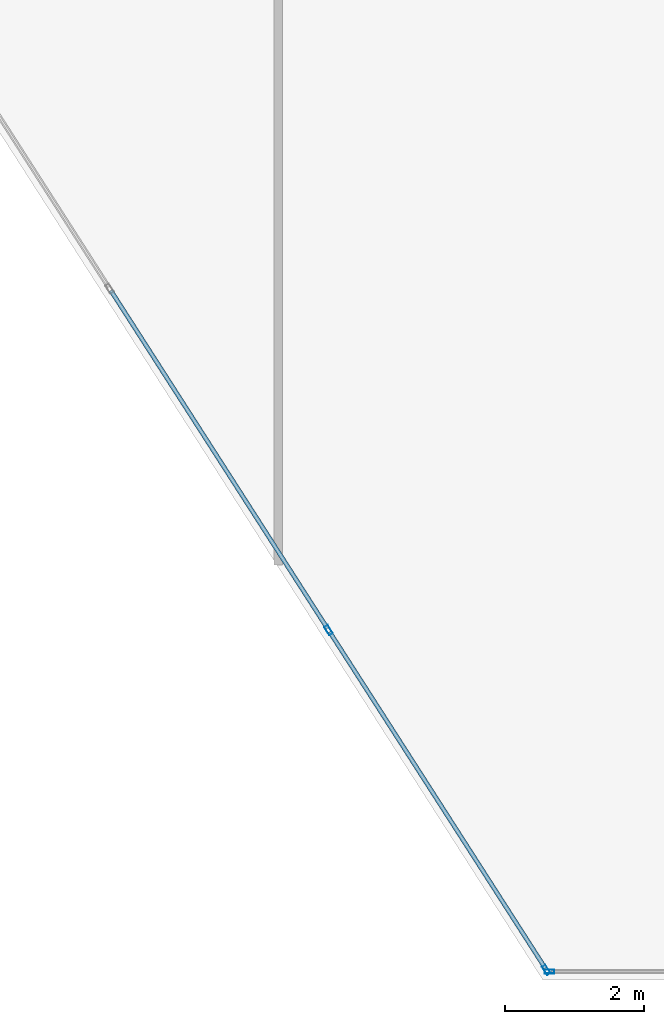
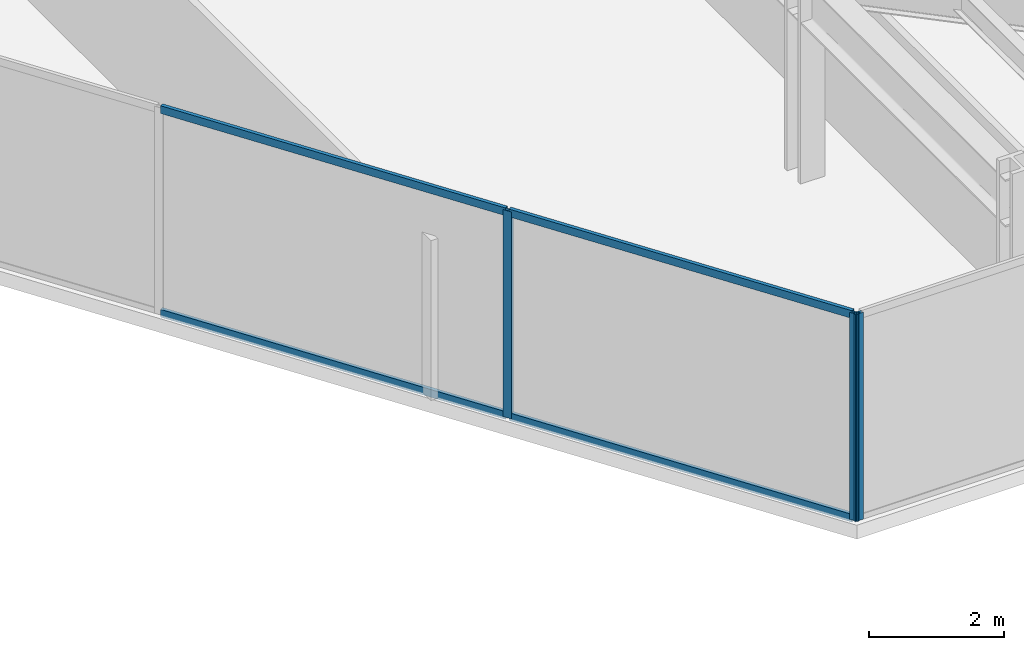
# One storey, part 15 of 26: 7 members, 2 elements without a shape of their own.
"""IFC4 building model written with IfcOpenShell, lengths in metres."""

from ifc_helpers import new_model, si_unit, direction, frame, origin, origin_2d, place, context, subcontext, project, spatial, hollow_rectangle, extrude, material, layer, layer_set, material_profile, profile_set, type_object, element, aggregate, save


model = new_model("IFC4")

# Units and contexts
model_context = context("Model", 3, precision=1e-05, world=origin(), true_north=direction((0.0, 1.0)))
body_context = subcontext(model_context, "Body", "Model", "MODEL_VIEW")
ifc_project = project(units=[si_unit("LENGTHUNIT", "METRE"), si_unit("AREAUNIT", "SQUARE_METRE"), si_unit("VOLUMEUNIT", "CUBIC_METRE"), si_unit("PLANEANGLEUNIT", "RADIAN"), si_unit("MASSUNIT", "GRAM", prefix="KILO")], contexts=[model_context])

# Site, building, storey
site_placement = place(None, origin())
site = spatial("IfcSite", under=ifc_project, at=site_placement, CompositionType="ELEMENT")
building_placement = place(site_placement, origin())
building = spatial("IfcBuilding", under=site, at=building_placement, Name="Kravanh Interchange Tower", CompositionType="ELEMENT")
storey_placement = place(building_placement, frame((0.0, 0.0, 112.0)))
storey = spatial("IfcBuildingStorey", under=building, at=storey_placement, Name="L26", CompositionType="ELEMENT", Elevation=112.0)

# Curtain wall, member
ifc_material_1 = material(Name="Anodised Bronze Aluminium", Category="aluminium")
ifc_layer = layer(ifc_material_1, 0.179931640625)
ifc_layer_set = layer_set([ifc_layer], Name="Unitised Curtain Wall System CW-Z2 Mid Office")
curtain_wall_type = type_object("IfcCurtainWallType", Name="Unitised Curtain Wall System CW-Z2 Mid Office", PredefinedType="NOTDEFINED", material=ifc_layer_set)
curtain_wall_1_placement = place(storey_placement, origin())
curtain_wall_1 = element("IfcCurtainWall", 1, at=curtain_wall_1_placement, inside=storey, type_object=curtain_wall_type, Name="L26 Unitised Curtain Wall CW-L26-03", PredefinedType="NOTDEFINED")
ifc_material_2 = material(Name="Anodised Bronze Aluminium", Category="aluminium")
ifc_material_profile_1 = material_profile(ifc_material_2, hollow_rectangle(XDim=0.06005859375, YDim=0.139892578125, WallThickness=0.00390625, at=origin_2d()), Name="ALU60X140X4")
ifc_profile_set_1 = profile_set([ifc_material_profile_1], Name="Anodised Bronze Aluminium")
member_type_1 = type_object("IfcMemberType", Name="Curtain Wall Mullion ALU60X140X4 Bronze", PredefinedType="MULLION", material=ifc_profile_set_1)
member_1_placement = place(storey_placement, frame((52.195556640625, 6.320068359375, 0.0), z_axis=(0.0, 0.0, 1.0), x_axis=(0.0, -1.0, 0.0)))
member_1 = element("IfcMember", 2, at=member_1_placement, type_object=member_type_1, Name="CW-Z2 mullion 3", PredefinedType="MULLION", context=body_context, shape_type="SweptSolid", body=[
    extrude(hollow_rectangle(XDim=0.06005859375, YDim=0.139892578125, WallThickness=0.00390625, at=origin_2d()), origin(), (0.0, 0.0, 1.0), 3.75),
])
aggregate(curtain_wall_1, [member_1])

# Curtain wall, members
curtain_wall_2_placement = place(storey_placement, origin())
curtain_wall_2 = element("IfcCurtainWall", 3, at=curtain_wall_2_placement, inside=storey, type_object=curtain_wall_type, Name="L26 Unitised Curtain Wall CW-L26-04", PredefinedType="NOTDEFINED")
member_2_placement = place(storey_placement, frame((52.1494140625, 6.34521484375, 0.0), z_axis=(0.0, 0.0, 1.0), x_axis=(-0.841879939476, -0.539664865919, 0.0)))
member_2 = element("IfcMember", 4, at=member_2_placement, type_object=member_type_1, Name="CW-Z2 mullion 1", PredefinedType="MULLION", context=body_context, shape_type="SweptSolid", body=[
    extrude(hollow_rectangle(XDim=0.06005859375, YDim=0.139892578125, WallThickness=0.00390625, at=origin_2d()), origin(), (0.0, 0.0, 1.0), 3.75),
])
member_3_placement = place(storey_placement, frame((49.024169921875, 11.220703125, 0.0), z_axis=(0.0, 0.0, 1.0), x_axis=(-0.841879939476, -0.539664865919, 0.0)))
member_3 = element("IfcMember", 5, at=member_3_placement, type_object=member_type_1, Name="CW-Z2 mullion 2", PredefinedType="MULLION", context=body_context, shape_type="SweptSolid", body=[
    extrude(hollow_rectangle(XDim=0.06005859375, YDim=0.139892578125, WallThickness=0.00390625, at=origin_2d()), origin(), (0.0, 0.0, 1.0), 3.75),
])
ifc_material_3 = material(Name="Anodised Bronze Aluminium", Category="aluminium")
ifc_material_profile_2 = material_profile(ifc_material_3, hollow_rectangle(XDim=0.06005859375, YDim=0.139892578125, WallThickness=0.00390625, at=origin_2d()), Name="ALU60X140X4")
ifc_profile_set_2 = profile_set([ifc_material_profile_2], Name="Anodised Bronze Aluminium")
member_type_2 = type_object("IfcMemberType", Name="Curtain Wall Transom ALU60X140X4 Bronze", PredefinedType="USERDEFINED", material=ifc_profile_set_2)
member_4_placement = place(storey_placement, frame((52.13330078125, 6.37060546875, 0.030029296875), z_axis=(-0.539697855812, 0.841858791266, 0.0), x_axis=(-0.841858791266, -0.539697855812, 0.0)))
member_4 = element("IfcMember", 6, at=member_4_placement, type_object=member_type_2, Name="CW-Z2 transom 1.1", ObjectType="TRANSOM", PredefinedType="USERDEFINED", context=body_context, shape_type="SweptSolid", body=[
    extrude(hollow_rectangle(XDim=0.06005859375, YDim=0.139892578125, WallThickness=0.00390625, at=origin_2d()), origin(), (0.0, 0.0, 1.0), 5.73095703125),
])
member_5_placement = place(storey_placement, frame((52.13330078125, 6.37060546875, 3.719970703125), z_axis=(-0.539697855812, 0.841858791266, 0.0), x_axis=(-0.841858791266, -0.539697855812, 0.0)))
member_5 = element("IfcMember", 7, at=member_5_placement, type_object=member_type_2, Name="CW-Z2 transom 1.2", ObjectType="TRANSOM", PredefinedType="USERDEFINED", context=body_context, shape_type="SweptSolid", body=[
    extrude(hollow_rectangle(XDim=0.06005859375, YDim=0.139892578125, WallThickness=0.00390625, at=origin_2d()), origin(), (0.0, 0.0, 1.0), 5.73095703125),
])
member_6_placement = place(storey_placement, frame((49.008056640625, 11.245849609375, 0.030029296875), z_axis=(-0.539677666788, 0.84187173368, 0.0), x_axis=(-0.84187173368, -0.539677666788, 0.0)))
member_6 = element("IfcMember", 8, at=member_6_placement, type_object=member_type_2, Name="CW-Z2 transom 2.1", ObjectType="TRANSOM", PredefinedType="USERDEFINED", context=body_context, shape_type="SweptSolid", body=[
    extrude(hollow_rectangle(XDim=0.06005859375, YDim=0.139892578125, WallThickness=0.00390625, at=origin_2d()), origin(), (0.0, 0.0, 1.0), 5.760986328125),
])
member_7_placement = place(storey_placement, frame((49.008056640625, 11.245849609375, 3.719970703125), z_axis=(-0.539677666788, 0.84187173368, 0.0), x_axis=(-0.84187173368, -0.539677666788, 0.0)))
member_7 = element("IfcMember", 9, at=member_7_placement, type_object=member_type_2, Name="CW-Z2 transom 2.2", ObjectType="TRANSOM", PredefinedType="USERDEFINED", context=body_context, shape_type="SweptSolid", body=[
    extrude(hollow_rectangle(XDim=0.06005859375, YDim=0.139892578125, WallThickness=0.00390625, at=origin_2d()), origin(), (0.0, 0.0, 1.0), 5.760986328125),
])
aggregate(curtain_wall_2, [member_2, member_3, member_4, member_5, member_6, member_7])

save(model, "model.ifc")
